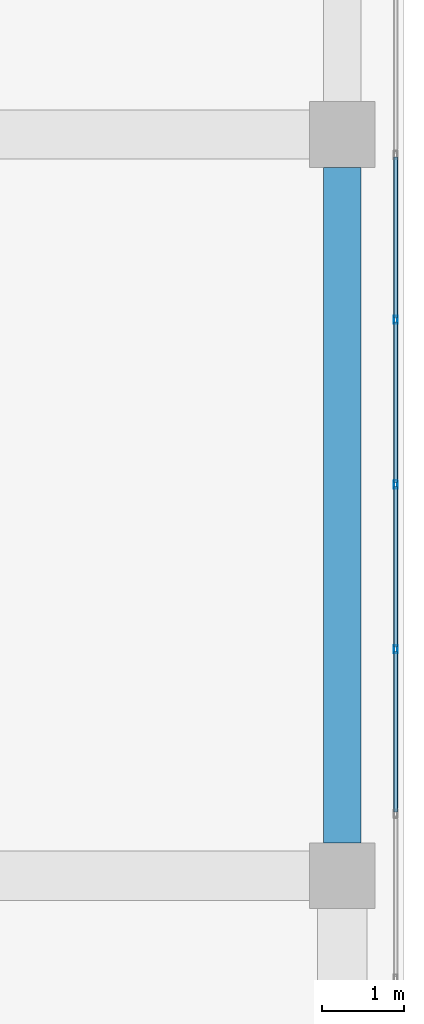
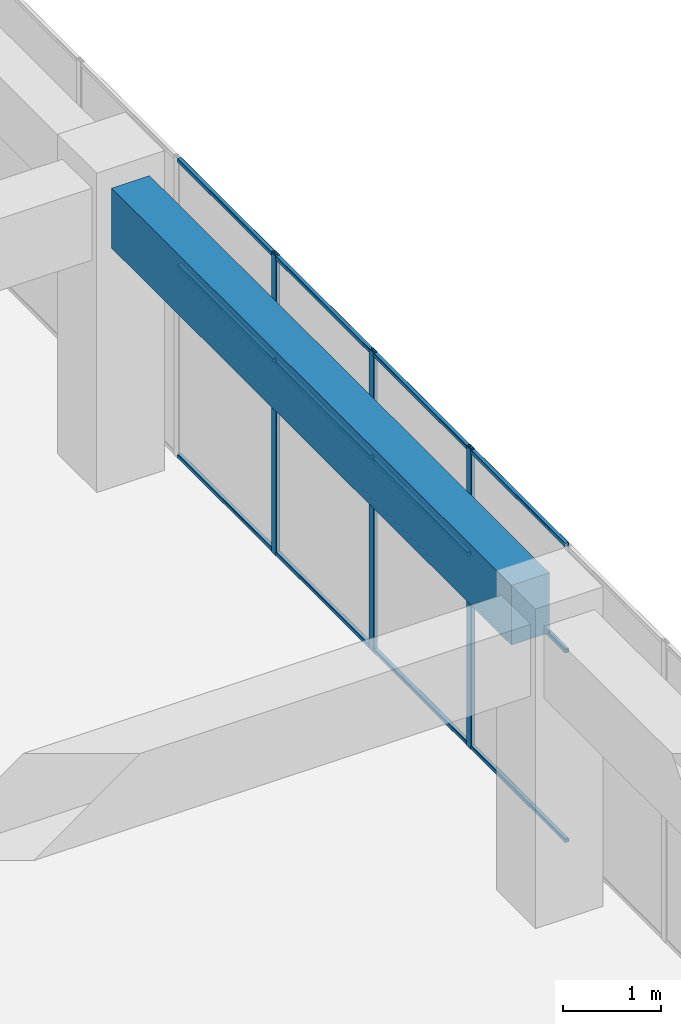
# One storey, part 38 of 66: 15 members, 1 beam, 1 element without a shape of its own.
"""IFC4 building model written with IfcOpenShell, lengths in metres."""

from ifc_helpers import new_model, si_unit, direction, frame, origin, origin_2d, place, context, subcontext, project, spatial, rectangle, hollow_rectangle, extrude, material, layer, layer_set, material_profile, profile_set, type_object, element, aggregate, save


model = new_model("IFC4")

# Units and contexts
model_context = context("Model", 3, precision=1e-05, world=origin(), true_north=direction((0.0, 1.0)))
body_context = subcontext(model_context, "Body", "Model", "MODEL_VIEW")
ifc_project = project(units=[si_unit("LENGTHUNIT", "METRE"), si_unit("AREAUNIT", "SQUARE_METRE"), si_unit("VOLUMEUNIT", "CUBIC_METRE"), si_unit("PLANEANGLEUNIT", "RADIAN"), si_unit("MASSUNIT", "GRAM", prefix="KILO")], contexts=[model_context])

# Site, building, storey
site_placement = place(None, origin())
site = spatial("IfcSite", under=ifc_project, at=site_placement, CompositionType="ELEMENT")
building_placement = place(site_placement, origin())
building = spatial("IfcBuilding", under=site, at=building_placement, Name="Tuart Plaza Theatre", CompositionType="ELEMENT")
storey_placement = place(building_placement, frame((0.0, 0.0, 5.5)))
storey = spatial("IfcBuildingStorey", under=building, at=storey_placement, Name="L01", CompositionType="ELEMENT", Elevation=5.5)

# Beam
ifc_material_1 = material(Name="Concrete N40 (40 MPa)", Category="concrete")
ifc_material_profile_1 = material_profile(ifc_material_1, rectangle(XDim=0.449951171875, YDim=0.75, at=origin_2d()), Name="BEAM 450x750 Concrete N40 (40 MPa)")
ifc_profile_set_1 = profile_set([ifc_material_profile_1], Name="Concrete N40 (40 MPa)")
beam_type = type_object("IfcBeamType", Name="BEAM 450x750 Concrete N40 (40 MPa)", PredefinedType="BEAM", material=ifc_profile_set_1)
beam_placement = place(storey_placement, frame((150.0, 56.39990234375, 3.375), z_axis=(0.0, 1.0, 0.0), x_axis=(-1.0, 0.0, 0.0)))
element("IfcBeam", 1, at=beam_placement, inside=storey, type_object=beam_type, Name="RB198", PredefinedType="BEAM", context=body_context, shape_type="SweptSolid", body=[
    extrude(rectangle(XDim=0.449951171875, YDim=0.75, at=origin_2d()), origin(), (0.0, 0.0, 1.0), 8.2001953125),
])

# Curtain wall, members
ifc_material_2 = material(Name="Aluminium and glass", Category="aluminium")
ifc_layer = layer(ifc_material_2, 0.10009765625)
ifc_layer_set = layer_set([ifc_layer], Name="CURTAIN WALL 2000 module")
curtain_wall_type = type_object("IfcCurtainWallType", Name="CURTAIN WALL 2000 module", PredefinedType="NOTDEFINED", material=ifc_layer_set)
curtain_wall_placement = place(storey_placement, origin())
curtain_wall = element("IfcCurtainWall", 2, at=curtain_wall_placement, inside=storey, type_object=curtain_wall_type, Name="CW69", PredefinedType="NOTDEFINED")
ifc_material_3 = material(Name="Aluminium 6063-T5", Category="aluminium")
ifc_material_profile_2 = material_profile(ifc_material_3, hollow_rectangle(XDim=0.050048828125, YDim=0.10009765625, WallThickness=0.00390625, InnerFilletRadius=0.00390625, OuterFilletRadius=0.008056640625, at=origin_2d()), Name="RHS 100x50x4")
ifc_profile_set_2 = profile_set([ifc_material_profile_2], Name="Aluminium 6063-T5")
member_type_1 = type_object("IfcMemberType", Name="MULLION RHS 100x50x4", PredefinedType="MULLION", material=ifc_profile_set_2)
member_1_placement = place(storey_placement, frame((150.64990234375, 58.75, 0.0), z_axis=(0.0, 0.0, 1.0), x_axis=(-1.0, 0.0, 0.0)))
member_1 = element("IfcMember", 3, at=member_1_placement, type_object=member_type_1, Name="CW69 mullion 5", PredefinedType="MULLION", context=body_context, shape_type="SweptSolid", body=[
    extrude(hollow_rectangle(XDim=0.050048828125, YDim=0.10009765625, WallThickness=0.00390625, InnerFilletRadius=0.00390625, OuterFilletRadius=0.008056640625, at=origin_2d()), origin(), (0.0, 0.0, 1.0), 3.75),
])
member_2_placement = place(storey_placement, frame((150.64990234375, 60.75, 0.0), z_axis=(0.0, 0.0, 1.0), x_axis=(-1.0, 0.0, 0.0)))
member_2 = element("IfcMember", 4, at=member_2_placement, type_object=member_type_1, Name="CW69 mullion 6", PredefinedType="MULLION", context=body_context, shape_type="SweptSolid", body=[
    extrude(hollow_rectangle(XDim=0.050048828125, YDim=0.10009765625, WallThickness=0.00390625, InnerFilletRadius=0.00390625, OuterFilletRadius=0.008056640625, at=origin_2d()), origin(), (0.0, 0.0, 1.0), 3.75),
])
member_3_placement = place(storey_placement, frame((150.64990234375, 62.75, 0.0), z_axis=(0.0, 0.0, 1.0), x_axis=(-1.0, 0.0, 0.0)))
member_3 = element("IfcMember", 5, at=member_3_placement, type_object=member_type_1, Name="CW69 mullion 7", PredefinedType="MULLION", context=body_context, shape_type="SweptSolid", body=[
    extrude(hollow_rectangle(XDim=0.050048828125, YDim=0.10009765625, WallThickness=0.00390625, InnerFilletRadius=0.00390625, OuterFilletRadius=0.008056640625, at=origin_2d()), origin(), (0.0, 0.0, 1.0), 3.75),
])
ifc_material_4 = material(Name="Aluminium 6063-T5", Category="aluminium")
ifc_material_profile_3 = material_profile(ifc_material_4, hollow_rectangle(XDim=0.050048828125, YDim=0.050048828125, WallThickness=0.00390625, InnerFilletRadius=0.00390625, OuterFilletRadius=0.008056640625, at=origin_2d()), Name="RHS 50x50x4")
ifc_profile_set_3 = profile_set([ifc_material_profile_3], Name="Aluminium 6063-T5")
member_type_2 = type_object("IfcMemberType", Name="TRANSOM RHS 50x50x4", PredefinedType="USERDEFINED", material=ifc_profile_set_3)
member_4_placement = place(storey_placement, frame((150.64990234375, 56.77490234375, 0.02490234375), z_axis=(0.0, 1.0, 0.0), x_axis=(-1.0, 0.0, 0.0)))
member_4 = element("IfcMember", 6, at=member_4_placement, type_object=member_type_2, Name="CW69 transom 4.1", ObjectType="TRANSOM", PredefinedType="USERDEFINED", context=body_context, shape_type="SweptSolid", body=[
    extrude(hollow_rectangle(XDim=0.050048828125, YDim=0.050048828125, WallThickness=0.00390625, InnerFilletRadius=0.00390625, OuterFilletRadius=0.008056640625, at=origin_2d()), origin(), (0.0, 0.0, 1.0), 1.9501953125),
])
member_5_placement = place(storey_placement, frame((150.64990234375, 56.77490234375, 2.39990234375), z_axis=(0.0, 1.0, 0.0), x_axis=(-1.0, 0.0, 0.0)))
member_5 = element("IfcMember", 7, at=member_5_placement, type_object=member_type_2, Name="CW69 transom 4.2", ObjectType="TRANSOM", PredefinedType="USERDEFINED", context=body_context, shape_type="SweptSolid", body=[
    extrude(hollow_rectangle(XDim=0.050048828125, YDim=0.050048828125, WallThickness=0.00390625, InnerFilletRadius=0.00390625, OuterFilletRadius=0.008056640625, at=origin_2d()), origin(), (0.0, 0.0, 1.0), 1.9501953125),
])
member_6_placement = place(storey_placement, frame((150.64990234375, 56.77490234375, 3.72509765625), z_axis=(0.0, 1.0, 0.0), x_axis=(-1.0, 0.0, 0.0)))
member_6 = element("IfcMember", 8, at=member_6_placement, type_object=member_type_2, Name="CW69 transom 4.3", ObjectType="TRANSOM", PredefinedType="USERDEFINED", context=body_context, shape_type="SweptSolid", body=[
    extrude(hollow_rectangle(XDim=0.050048828125, YDim=0.050048828125, WallThickness=0.00390625, InnerFilletRadius=0.00390625, OuterFilletRadius=0.008056640625, at=origin_2d()), origin(), (0.0, 0.0, 1.0), 1.9501953125),
])
member_7_placement = place(storey_placement, frame((150.64990234375, 58.77490234375, 0.02490234375), z_axis=(0.0, 1.0, 0.0), x_axis=(-1.0, 0.0, 0.0)))
member_7 = element("IfcMember", 9, at=member_7_placement, type_object=member_type_2, Name="CW69 transom 5.1", ObjectType="TRANSOM", PredefinedType="USERDEFINED", context=body_context, shape_type="SweptSolid", body=[
    extrude(hollow_rectangle(XDim=0.050048828125, YDim=0.050048828125, WallThickness=0.00390625, InnerFilletRadius=0.00390625, OuterFilletRadius=0.008056640625, at=origin_2d()), origin(), (0.0, 0.0, 1.0), 1.9501953125),
])
member_8_placement = place(storey_placement, frame((150.64990234375, 58.77490234375, 2.39990234375), z_axis=(0.0, 1.0, 0.0), x_axis=(-1.0, 0.0, 0.0)))
member_8 = element("IfcMember", 10, at=member_8_placement, type_object=member_type_2, Name="CW69 transom 5.2", ObjectType="TRANSOM", PredefinedType="USERDEFINED", context=body_context, shape_type="SweptSolid", body=[
    extrude(hollow_rectangle(XDim=0.050048828125, YDim=0.050048828125, WallThickness=0.00390625, InnerFilletRadius=0.00390625, OuterFilletRadius=0.008056640625, at=origin_2d()), origin(), (0.0, 0.0, 1.0), 1.9501953125),
])
member_9_placement = place(storey_placement, frame((150.64990234375, 58.77490234375, 3.72509765625), z_axis=(0.0, 1.0, 0.0), x_axis=(-1.0, 0.0, 0.0)))
member_9 = element("IfcMember", 11, at=member_9_placement, type_object=member_type_2, Name="CW69 transom 5.3", ObjectType="TRANSOM", PredefinedType="USERDEFINED", context=body_context, shape_type="SweptSolid", body=[
    extrude(hollow_rectangle(XDim=0.050048828125, YDim=0.050048828125, WallThickness=0.00390625, InnerFilletRadius=0.00390625, OuterFilletRadius=0.008056640625, at=origin_2d()), origin(), (0.0, 0.0, 1.0), 1.9501953125),
])
member_10_placement = place(storey_placement, frame((150.64990234375, 60.77490234375, 0.02490234375), z_axis=(0.0, 1.0, 0.0), x_axis=(-1.0, 0.0, 0.0)))
member_10 = element("IfcMember", 12, at=member_10_placement, type_object=member_type_2, Name="CW69 transom 6.1", ObjectType="TRANSOM", PredefinedType="USERDEFINED", context=body_context, shape_type="SweptSolid", body=[
    extrude(hollow_rectangle(XDim=0.050048828125, YDim=0.050048828125, WallThickness=0.00390625, InnerFilletRadius=0.00390625, OuterFilletRadius=0.008056640625, at=origin_2d()), origin(), (0.0, 0.0, 1.0), 1.9501953125),
])
member_11_placement = place(storey_placement, frame((150.64990234375, 60.77490234375, 2.39990234375), z_axis=(0.0, 1.0, 0.0), x_axis=(-1.0, 0.0, 0.0)))
member_11 = element("IfcMember", 13, at=member_11_placement, type_object=member_type_2, Name="CW69 transom 6.2", ObjectType="TRANSOM", PredefinedType="USERDEFINED", context=body_context, shape_type="SweptSolid", body=[
    extrude(hollow_rectangle(XDim=0.050048828125, YDim=0.050048828125, WallThickness=0.00390625, InnerFilletRadius=0.00390625, OuterFilletRadius=0.008056640625, at=origin_2d()), origin(), (0.0, 0.0, 1.0), 1.9501953125),
])
member_12_placement = place(storey_placement, frame((150.64990234375, 60.77490234375, 3.72509765625), z_axis=(0.0, 1.0, 0.0), x_axis=(-1.0, 0.0, 0.0)))
member_12 = element("IfcMember", 14, at=member_12_placement, type_object=member_type_2, Name="CW69 transom 6.3", ObjectType="TRANSOM", PredefinedType="USERDEFINED", context=body_context, shape_type="SweptSolid", body=[
    extrude(hollow_rectangle(XDim=0.050048828125, YDim=0.050048828125, WallThickness=0.00390625, InnerFilletRadius=0.00390625, OuterFilletRadius=0.008056640625, at=origin_2d()), origin(), (0.0, 0.0, 1.0), 1.9501953125),
])
member_13_placement = place(storey_placement, frame((150.64990234375, 62.77490234375, 0.02490234375), z_axis=(0.0, 1.0, 0.0), x_axis=(-1.0, 0.0, 0.0)))
member_13 = element("IfcMember", 15, at=member_13_placement, type_object=member_type_2, Name="CW69 transom 7.1", ObjectType="TRANSOM", PredefinedType="USERDEFINED", context=body_context, shape_type="SweptSolid", body=[
    extrude(hollow_rectangle(XDim=0.050048828125, YDim=0.050048828125, WallThickness=0.00390625, InnerFilletRadius=0.00390625, OuterFilletRadius=0.008056640625, at=origin_2d()), origin(), (0.0, 0.0, 1.0), 1.9501953125),
])
member_14_placement = place(storey_placement, frame((150.64990234375, 62.77490234375, 2.39990234375), z_axis=(0.0, 1.0, 0.0), x_axis=(-1.0, 0.0, 0.0)))
member_14 = element("IfcMember", 16, at=member_14_placement, type_object=member_type_2, Name="CW69 transom 7.2", ObjectType="TRANSOM", PredefinedType="USERDEFINED", context=body_context, shape_type="SweptSolid", body=[
    extrude(hollow_rectangle(XDim=0.050048828125, YDim=0.050048828125, WallThickness=0.00390625, InnerFilletRadius=0.00390625, OuterFilletRadius=0.008056640625, at=origin_2d()), origin(), (0.0, 0.0, 1.0), 1.9501953125),
])
member_15_placement = place(storey_placement, frame((150.64990234375, 62.77490234375, 3.72509765625), z_axis=(0.0, 1.0, 0.0), x_axis=(-1.0, 0.0, 0.0)))
member_15 = element("IfcMember", 17, at=member_15_placement, type_object=member_type_2, Name="CW69 transom 7.3", ObjectType="TRANSOM", PredefinedType="USERDEFINED", context=body_context, shape_type="SweptSolid", body=[
    extrude(hollow_rectangle(XDim=0.050048828125, YDim=0.050048828125, WallThickness=0.00390625, InnerFilletRadius=0.00390625, OuterFilletRadius=0.008056640625, at=origin_2d()), origin(), (0.0, 0.0, 1.0), 1.9501953125),
])
aggregate(curtain_wall, [member_1, member_2, member_3, member_4, member_5, member_6, member_7, member_8, member_9, member_10, member_11, member_12, member_13, member_14, member_15])

save(model, "model.ifc")
